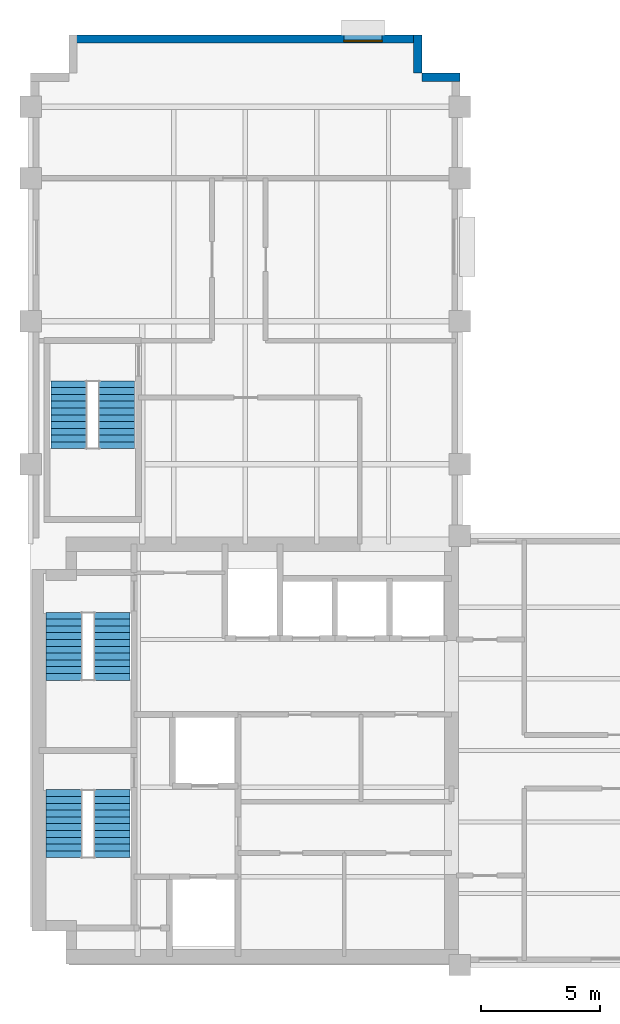
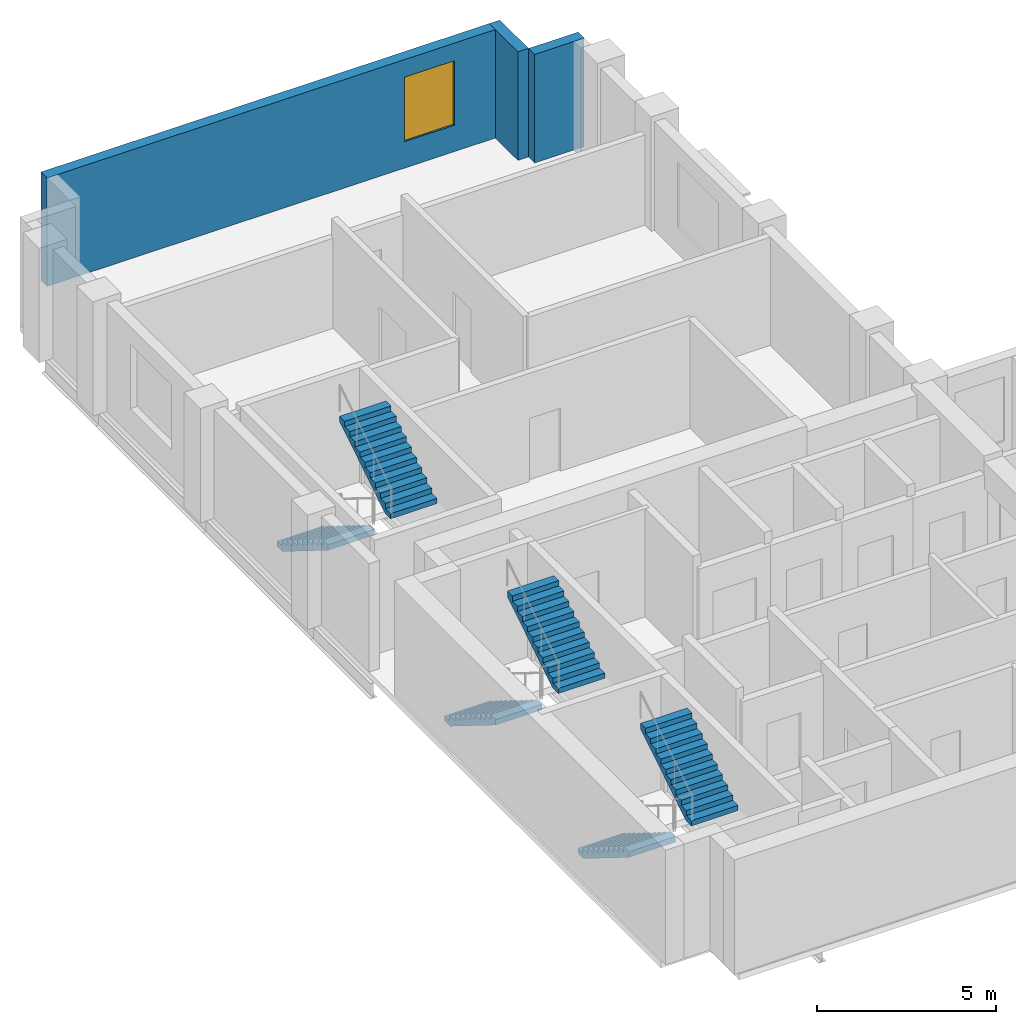
# One storey, part 5 of 6: 6 stair flights, 3 walls, 1 window, 1 opening, 3 elements without a shape of their own.
"""IFC4 building model written with IfcOpenShell, lengths in metres."""

from ifc_helpers import new_model, si_unit, direction, frame, frame_2d, origin, place, context, subcontext, project, spatial, polyline, rectangle, outline, extrude, material, layer, layer_set, type_object, element, fill, aggregate, save


model = new_model("IFC4")

# Units and contexts
model_context = context("Model", 3, precision=1e-05, world=origin(), true_north=direction((0.0, 1.0)))
body_context = subcontext(model_context, "Body", "Model", "MODEL_VIEW")
ifc_project = project(units=[si_unit("LENGTHUNIT", "METRE"), si_unit("AREAUNIT", "SQUARE_METRE"), si_unit("VOLUMEUNIT", "CUBIC_METRE"), si_unit("PLANEANGLEUNIT", "RADIAN"), si_unit("MASSUNIT", "GRAM", prefix="KILO")], contexts=[model_context])

# Site, building, storey
site_placement = place(None, origin())
site = spatial("IfcSite", under=ifc_project, at=site_placement, CompositionType="ELEMENT")
building_placement = place(site_placement, origin())
building = spatial("IfcBuilding", under=site, at=building_placement, Name="Mawjdan Bourse Tower", CompositionType="ELEMENT")
storey_placement = place(building_placement, frame((0.0, 0.0, 215.10009765625)))
storey = spatial("IfcBuildingStorey", under=building, at=storey_placement, Name="L52", CompositionType="ELEMENT", Elevation=215.10009765625)

# Walls
ifc_material_1 = material(Name="Brick Masonry Buff", Category="masonry")
ifc_layer = layer(ifc_material_1, 0.340087890625)
ifc_layer_set = layer_set([ifc_layer], Name="Brick Masonry Buff")
wall_type = type_object("IfcWallType", Name="WL-BRK-SPN-340", PredefinedType="STANDARD", material=ifc_layer_set)
for number, where, z_axis, x_axis, name in (
    (1, (24.0, 40.22998046875, 0.0), (0.0, 0.0, 1.0), (-1.0, 0.0, 0.0), "L52 Exterior Brick Wall 9"),
    (2, (22.22998046875, 40.39990234375, 0.0), (0.0, 0.0, 1.0), (0.0, 1.0, 0.0), "L52 Exterior Brick Wall 10"),
):
    element("IfcWall", number, at=place(storey_placement, frame(where, z_axis=z_axis, x_axis=x_axis)), inside=storey, type_object=wall_type, Name=name, PredefinedType="STANDARD", context=body_context, shape_type="SweptSolid", body=[
        extrude(rectangle(XDim=1.60009765625, YDim=0.340087890625, at=frame_2d((0.800048828125, 0.0))), origin(), (0.0, 0.0, 1.0), 3.699951171875),
    ])

# Wall, opening, window
wall_placement = place(storey_placement, frame((22.39990234375, 41.830078125, 0.0), z_axis=(0.0, 0.0, 1.0), x_axis=(-1.0, 0.0, 0.0)))
wall = element("IfcWall", 3, at=wall_placement, inside=storey, type_object=wall_type, Name="L52 Exterior Brick Wall 11", PredefinedType="STANDARD", context=body_context, shape_type="SweptSolid", body=[
    extrude(rectangle(XDim=14.7998046875, YDim=0.340087890625, at=frame_2d((7.39990234375, 0.0))), origin(), (0.0, 0.0, 1.0), 3.699951171875),
])
opening_placement = place(wall_placement, frame((1.666748046875, 0.0, 0.89990234375)))
opening = element("IfcOpeningElement", 4, at=opening_placement, cuts=wall, Name="Opening W-L52-08", PredefinedType="OPENING", context=body_context, shape_type="SweptSolid", body=[
    extrude(rectangle(XDim=1.60009765625, YDim=2.199951171875, at=frame_2d((0.800048828125, 1.10009765625))), frame((0.0, 0.18017578125, 0.0), z_axis=(0.0, -1.0, 0.0), x_axis=(1.0, 0.0, 0.0)), (0.0, 0.0, 1.0), 0.360107421875),
])
ifc_material_2 = material(Name="Solar-Control Clear Double Glazing", Category="glass")
window_type = type_object("IfcWindowType", Name="WN-Z3-1600", PartitioningType="SINGLE_PANEL", PredefinedType="WINDOW", material=ifc_material_2)
window_placement = place(opening_placement, origin())
window = element("IfcWindow", 5, at=window_placement, inside=storey, type_object=window_type, Name="L52 Deep-Set Masonry Window W-L52-08", OverallHeight=2.199951171875, OverallWidth=1.60009765625, PartitioningType="SINGLE_PANEL", PredefinedType="WINDOW", context=body_context, shape_type="SweptSolid", body=[
    extrude(rectangle(XDim=1.60009765625, YDim=2.199951171875, at=frame_2d((0.800048828125, 1.10009765625))), frame((0.0, 0.110107421875, 0.0), z_axis=(0.0, -1.0, 0.0), x_axis=(1.0, 0.0, 0.0)), (0.0, 0.0, 1.0), 0.06005859375),
])
fill(opening, window)

# Stair, stair flights
ifc_material_3 = material(Name="Concrete C50/60", Category="concrete")
stair_type = type_object("IfcStairType", Name="STR-CORE-1500", PredefinedType="HALF_TURN_STAIR", material=ifc_material_3)
stair_1_placement = place(storey_placement, origin())
stair_1 = element("IfcStair", 6, at=stair_1_placement, inside=storey, type_object=stair_type, Name="L52 Exit Stair 1 (Core South-West)", PredefinedType="HALF_TURN_STAIR")
stair_flight_type = type_object("IfcStairFlightType", Name="SFL-RC-1500", PredefinedType="STRAIGHT", material=ifc_material_3)
stair_flight_1_placement = place(storey_placement, frame((7.389892578125, 10.35009765625, 0.0), z_axis=(0.0, 0.0, 1.0), x_axis=(0.0, -1.0, 0.0)))
stair_flight_1 = element("IfcStairFlight", 7, at=stair_flight_1_placement, type_object=stair_flight_type, Name="ST1-L52 flight 1", NumberOfRisers=11, NumberOfTreads=10, PredefinedType="STRAIGHT", RiserHeight=0.177273, TreadLength=0.285, context=body_context, shape_type="SweptSolid", body=[
    extrude(outline(polyline([(0.0, 0.0), (0.0, 0.17724609375), (0.284912109375, 0.17724609375), (0.284912109375, 0.3544921875), (0.570068359375, 0.3544921875), (0.570068359375, 0.53173828125), (0.85498046875, 0.53173828125), (0.85498046875, 0.708984375), (1.139892578125, 0.708984375), (1.139892578125, 0.886474609375), (1.425048828125, 0.886474609375), (1.425048828125, 1.063720703125), (1.7099609375, 1.063720703125), (1.7099609375, 1.240966796875), (1.9951171875, 1.240966796875), (1.9951171875, 1.418212890625), (2.280029296875, 1.418212890625), (2.280029296875, 1.595458984375), (2.56494140625, 1.595458984375), (2.56494140625, 1.772705078125), (2.85009765625, 1.772705078125), (2.85009765625, 1.949951171875), (2.85009765625, 1.58447265625), (0.302734375, 0.0), (0.0, 0.0)])), frame((0.0, 0.75, 0.0), z_axis=(0.0, -1.0, 0.0), x_axis=(1.0, 0.0, 0.0)), (0.0, 0.0, 1.0), 1.5),
])
stair_flight_2_placement = place(storey_placement, frame((9.409912109375, 7.5, 1.949951171875), z_axis=(0.0, 0.0, 1.0), x_axis=(0.0, 1.0, 0.0)))
stair_flight_2 = element("IfcStairFlight", 8, at=stair_flight_2_placement, type_object=stair_flight_type, Name="ST1-L52 flight 2", NumberOfRisers=11, NumberOfTreads=10, PredefinedType="STRAIGHT", RiserHeight=0.177273, TreadLength=0.285, context=body_context, shape_type="SweptSolid", body=[
    extrude(outline(polyline([(0.0, 0.0), (0.0, 0.17724609375), (0.284912109375, 0.17724609375), (0.284912109375, 0.3544921875), (0.570068359375, 0.3544921875), (0.570068359375, 0.53173828125), (0.85498046875, 0.53173828125), (0.85498046875, 0.708984375), (1.139892578125, 0.708984375), (1.139892578125, 0.886474609375), (1.425048828125, 0.886474609375), (1.425048828125, 1.063720703125), (1.7099609375, 1.063720703125), (1.7099609375, 1.240966796875), (1.9951171875, 1.240966796875), (1.9951171875, 1.418212890625), (2.280029296875, 1.418212890625), (2.280029296875, 1.595458984375), (2.56494140625, 1.595458984375), (2.56494140625, 1.772705078125), (2.85009765625, 1.772705078125), (2.85009765625, 1.949951171875), (2.85009765625, 1.58447265625), (0.302734375, 0.0), (0.0, 0.0)])), frame((0.0, 0.75, 0.0), z_axis=(0.0, -1.0, 0.0), x_axis=(1.0, 0.0, 0.0)), (0.0, 0.0, 1.0), 1.5),
])
aggregate(stair_1, [stair_flight_1, stair_flight_2])

stair_2_placement = place(storey_placement, origin())
stair_2 = element("IfcStair", 9, at=stair_2_placement, inside=storey, type_object=stair_type, Name="L52 Exit Stair 2 (Core North-West)", PredefinedType="HALF_TURN_STAIR")
stair_flight_3_placement = place(storey_placement, frame((7.389892578125, 17.7900390625, 0.0), z_axis=(0.0, 0.0, 1.0), x_axis=(0.0, -1.0, 0.0)))
stair_flight_3 = element("IfcStairFlight", 10, at=stair_flight_3_placement, type_object=stair_flight_type, Name="ST2-L52 flight 1", NumberOfRisers=11, NumberOfTreads=10, PredefinedType="STRAIGHT", RiserHeight=0.177273, TreadLength=0.285, context=body_context, shape_type="SweptSolid", body=[
    extrude(outline(polyline([(0.0, 0.0), (0.0, 0.17724609375), (0.284912109375, 0.17724609375), (0.284912109375, 0.3544921875), (0.570068359375, 0.3544921875), (0.570068359375, 0.53173828125), (0.85498046875, 0.53173828125), (0.85498046875, 0.708984375), (1.139892578125, 0.708984375), (1.139892578125, 0.886474609375), (1.425048828125, 0.886474609375), (1.425048828125, 1.063720703125), (1.7099609375, 1.063720703125), (1.7099609375, 1.240966796875), (1.9951171875, 1.240966796875), (1.9951171875, 1.418212890625), (2.280029296875, 1.418212890625), (2.280029296875, 1.595458984375), (2.56494140625, 1.595458984375), (2.56494140625, 1.772705078125), (2.85009765625, 1.772705078125), (2.85009765625, 1.949951171875), (2.85009765625, 1.58447265625), (0.302734375, 0.0), (0.0, 0.0)])), frame((0.0, 0.75, 0.0), z_axis=(0.0, -1.0, 0.0), x_axis=(1.0, 0.0, 0.0)), (0.0, 0.0, 1.0), 1.5),
])
stair_flight_4_placement = place(storey_placement, frame((9.409912109375, 14.93994140625, 1.949951171875), z_axis=(0.0, 0.0, 1.0), x_axis=(0.0, 1.0, 0.0)))
stair_flight_4 = element("IfcStairFlight", 11, at=stair_flight_4_placement, type_object=stair_flight_type, Name="ST2-L52 flight 2", NumberOfRisers=11, NumberOfTreads=10, PredefinedType="STRAIGHT", RiserHeight=0.177273, TreadLength=0.285, context=body_context, shape_type="SweptSolid", body=[
    extrude(outline(polyline([(0.0, 0.0), (0.0, 0.17724609375), (0.284912109375, 0.17724609375), (0.284912109375, 0.3544921875), (0.570068359375, 0.3544921875), (0.570068359375, 0.53173828125), (0.85498046875, 0.53173828125), (0.85498046875, 0.708984375), (1.139892578125, 0.708984375), (1.139892578125, 0.886474609375), (1.425048828125, 0.886474609375), (1.425048828125, 1.063720703125), (1.7099609375, 1.063720703125), (1.7099609375, 1.240966796875), (1.9951171875, 1.240966796875), (1.9951171875, 1.418212890625), (2.280029296875, 1.418212890625), (2.280029296875, 1.595458984375), (2.56494140625, 1.595458984375), (2.56494140625, 1.772705078125), (2.85009765625, 1.772705078125), (2.85009765625, 1.949951171875), (2.85009765625, 1.58447265625), (0.302734375, 0.0), (0.0, 0.0)])), frame((0.0, 0.75, 0.0), z_axis=(0.0, -1.0, 0.0), x_axis=(1.0, 0.0, 0.0)), (0.0, 0.0, 1.0), 1.5),
])
aggregate(stair_2, [stair_flight_3, stair_flight_4])

stair_3_placement = place(storey_placement, origin())
stair_3 = element("IfcStair", 12, at=stair_3_placement, inside=storey, type_object=stair_type, Name="L52 Exit Stair 3 (North Wing)", PredefinedType="HALF_TURN_STAIR")
stair_flight_5_placement = place(storey_placement, frame((7.590087890625, 27.5, 0.0), z_axis=(0.0, 0.0, 1.0), x_axis=(0.0, -1.0, 0.0)))
stair_flight_5 = element("IfcStairFlight", 13, at=stair_flight_5_placement, type_object=stair_flight_type, Name="ST3-L52 flight 1", NumberOfRisers=11, NumberOfTreads=10, PredefinedType="STRAIGHT", RiserHeight=0.177273, TreadLength=0.285, context=body_context, shape_type="SweptSolid", body=[
    extrude(outline(polyline([(0.0, 0.0), (0.0, 0.17724609375), (0.284912109375, 0.17724609375), (0.284912109375, 0.3544921875), (0.570068359375, 0.3544921875), (0.570068359375, 0.53173828125), (0.85498046875, 0.53173828125), (0.85498046875, 0.708984375), (1.139892578125, 0.708984375), (1.139892578125, 0.886474609375), (1.425048828125, 0.886474609375), (1.425048828125, 1.063720703125), (1.7099609375, 1.063720703125), (1.7099609375, 1.240966796875), (1.9951171875, 1.240966796875), (1.9951171875, 1.418212890625), (2.280029296875, 1.418212890625), (2.280029296875, 1.595458984375), (2.56494140625, 1.595458984375), (2.56494140625, 1.772705078125), (2.85009765625, 1.772705078125), (2.85009765625, 1.949951171875), (2.85009765625, 1.58447265625), (0.302734375, 0.0), (0.0, 0.0)])), frame((0.0, 0.75, 0.0), z_axis=(0.0, -1.0, 0.0), x_axis=(1.0, 0.0, 0.0)), (0.0, 0.0, 1.0), 1.5),
])
stair_flight_6_placement = place(storey_placement, frame((9.610107421875, 24.64990234375, 1.949951171875), z_axis=(0.0, 0.0, 1.0), x_axis=(0.0, 1.0, 0.0)))
stair_flight_6 = element("IfcStairFlight", 14, at=stair_flight_6_placement, type_object=stair_flight_type, Name="ST3-L52 flight 2", NumberOfRisers=11, NumberOfTreads=10, PredefinedType="STRAIGHT", RiserHeight=0.177273, TreadLength=0.285, context=body_context, shape_type="SweptSolid", body=[
    extrude(outline(polyline([(0.0, 0.0), (0.0, 0.17724609375), (0.284912109375, 0.17724609375), (0.284912109375, 0.3544921875), (0.570068359375, 0.3544921875), (0.570068359375, 0.53173828125), (0.85498046875, 0.53173828125), (0.85498046875, 0.708984375), (1.139892578125, 0.708984375), (1.139892578125, 0.886474609375), (1.425048828125, 0.886474609375), (1.425048828125, 1.063720703125), (1.7099609375, 1.063720703125), (1.7099609375, 1.240966796875), (1.9951171875, 1.240966796875), (1.9951171875, 1.418212890625), (2.280029296875, 1.418212890625), (2.280029296875, 1.595458984375), (2.56494140625, 1.595458984375), (2.56494140625, 1.772705078125), (2.85009765625, 1.772705078125), (2.85009765625, 1.949951171875), (2.85009765625, 1.58447265625), (0.302734375, 0.0), (0.0, 0.0)])), frame((0.0, 0.75, 0.0), z_axis=(0.0, -1.0, 0.0), x_axis=(1.0, 0.0, 0.0)), (0.0, 0.0, 1.0), 1.5),
])
aggregate(stair_3, [stair_flight_5, stair_flight_6])

save(model, "model.ifc")
